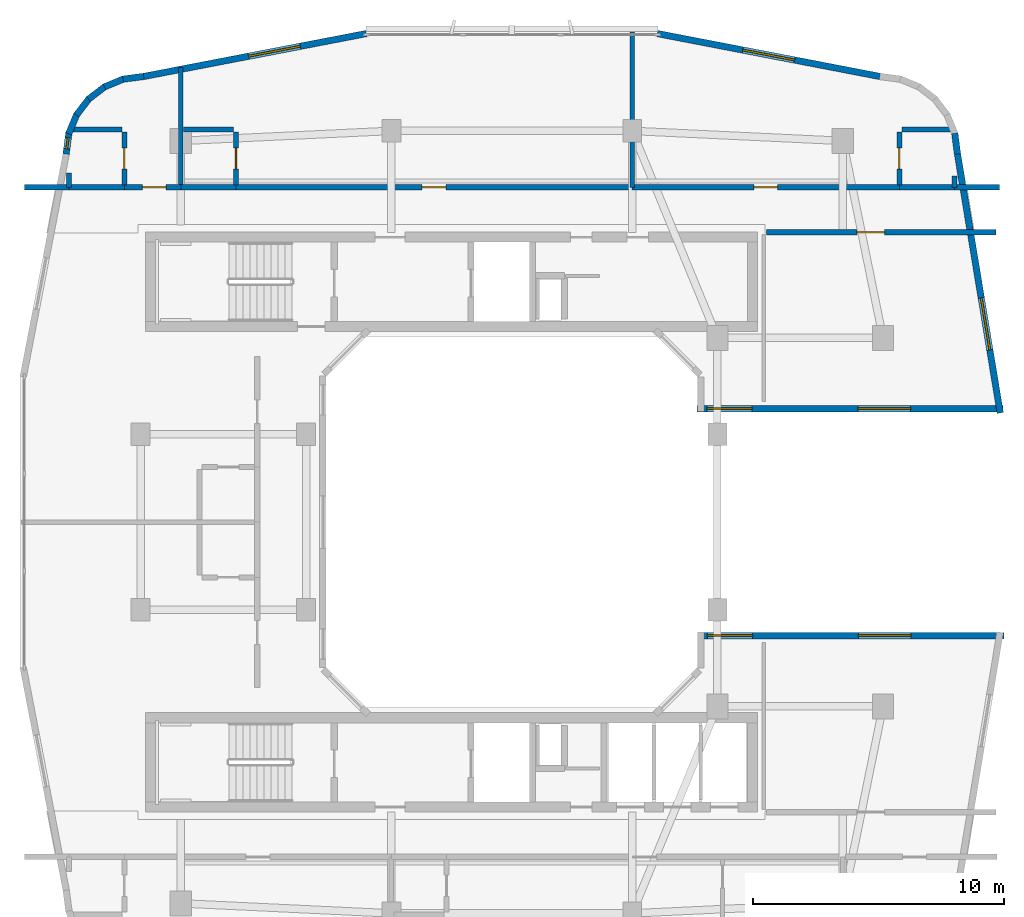
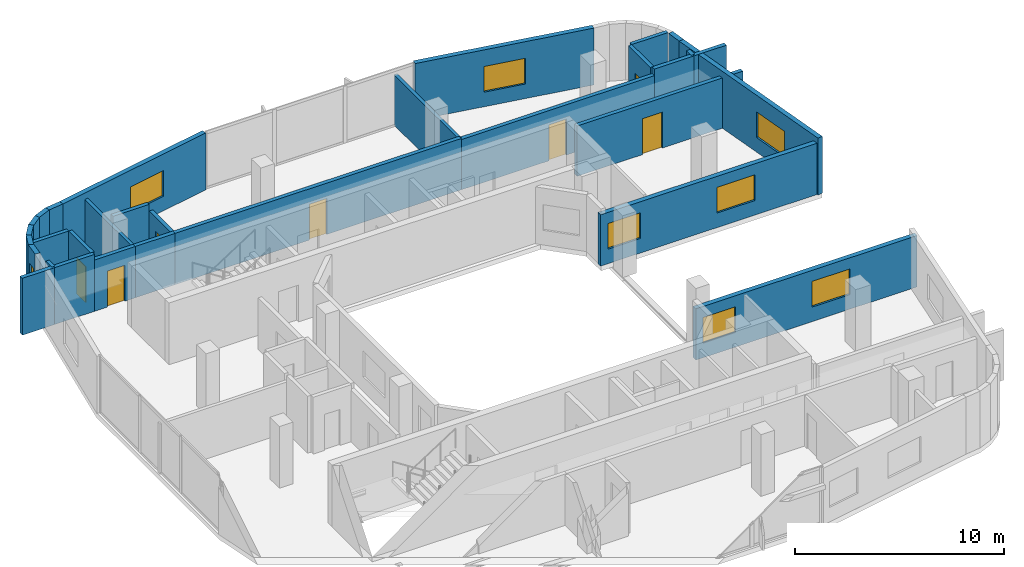
# One storey, part 7 of 12: 31 walls, 8 windows, 7 doors, 15 openings.
"""IFC4 building model written with IfcOpenShell, lengths in metres."""

from ifc_helpers import new_model, si_unit, derived_unit, direction, frame, frame_2d, origin, place, context, subcontext, project, spatial, rectangle, extrude, material, layer, layer_set, type_object, element, fill, save


model = new_model("IFC4")

# Units and contexts
model_context = context("Model", 3, precision=1e-05, world=origin(), true_north=direction((0.0, 1.0)))
body_context = subcontext(model_context, "Body", "Model", "MODEL_VIEW")
ifc_project = project(units=[si_unit("LENGTHUNIT", "METRE"), si_unit("AREAUNIT", "SQUARE_METRE"), si_unit("VOLUMEUNIT", "CUBIC_METRE"), si_unit("PLANEANGLEUNIT", "RADIAN"), si_unit("MASSUNIT", "GRAM", prefix="KILO"), derived_unit("THERMALTRANSMITTANCEUNIT", [(si_unit("POWERUNIT", "WATT"), 1), (si_unit("LENGTHUNIT", "METRE"), -2), (si_unit("THERMODYNAMICTEMPERATUREUNIT", "KELVIN"), -1)])], contexts=[model_context])

# Site, building, storey
site_placement = place(None, origin())
site = spatial("IfcSite", under=ifc_project, at=site_placement, CompositionType="ELEMENT")
building_placement = place(site_placement, origin())
building = spatial("IfcBuilding", under=site, at=building_placement, Name="Kivonza Crest Hotel", CompositionType="ELEMENT")
storey_placement = place(building_placement, frame((0.0, 0.0, 191.89990234375)))
storey = spatial("IfcBuildingStorey", under=building, at=storey_placement, Name="L52", CompositionType="ELEMENT", Elevation=191.89990234375)

# Walls
ifc_material_1 = material(Name="High-density acoustic masonry inter-tenancy wall", Category="masonry")
ifc_layer_1 = layer(ifc_material_1, 0.179931640625)
ifc_layer_set_1 = layer_set([ifc_layer_1], Name="High-density acoustic masonry inter-tenancy wall")
wall_type_1 = type_object("IfcWallType", Name="WL-ACOU-180", PredefinedType="SOLIDWALL", material=ifc_layer_set_1)
wall_1_placement = place(storey_placement, frame((7.800048828125, 38.35009765625, 0.0), z_axis=(0.0, 0.0, 1.0), x_axis=(0.0, 1.0, 0.0)))
element("IfcWall", 1, at=wall_1_placement, inside=storey, type_object=wall_type_1, Name="L52 interior partition WA-L52-T1N-DIV1", PredefinedType="SOLIDWALL", context=body_context, shape_type="SweptSolid", body=[
    extrude(rectangle(XDim=4.77783203125, YDim=0.179931640625, at=frame_2d((2.388916015625, 0.0))), origin(), (0.0, 0.0, 1.0), 2.93505859375),
])
wall_2_placement = place(storey_placement, frame((25.800048828125, 38.35009765625, 0.0), z_axis=(0.0, 0.0, 1.0), x_axis=(0.0, 1.0, 0.0)))
element("IfcWall", 2, at=wall_2_placement, inside=storey, type_object=wall_type_1, Name="L52 interior partition WA-L52-T1N-DIV2", PredefinedType="SOLIDWALL", context=body_context, shape_type="SweptSolid", body=[
    extrude(rectangle(XDim=6.18994140625, YDim=0.179931640625, at=frame_2d((3.094970703125, 0.0))), origin(), (0.0, 0.0, 1.0), 2.93505859375),
])
ifc_material_2 = material(Name="Autoclaved aerated concrete blockwork", Category="masonry")
ifc_layer_2 = layer(ifc_material_2, 0.219970703125)
ifc_layer_set_2 = layer_set([ifc_layer_2], Name="Autoclaved aerated concrete blockwork")
wall_type_2 = type_object("IfcWallType", Name="WL-ACOU-220", PredefinedType="SOLIDWALL", material=ifc_layer_set_2)
wall_3_placement = place(storey_placement, frame((1.56005859375, 38.35009765625, 0.0), z_axis=(0.0, 0.0, 1.0), x_axis=(1.0, 0.0, 0.0)))
element("IfcWall", 3, at=wall_3_placement, inside=storey, type_object=wall_type_2, Name="L52 interior partition WA-L52-N01-XCORR", PredefinedType="SOLIDWALL", context=body_context, shape_type="SweptSolid", body=[
    extrude(rectangle(XDim=1.7900390625, YDim=0.219970703125, at=frame_2d((0.89501953125, 0.0))), origin(), (0.0, 0.0, 1.0), 3.320068359375),
])
wall_4_placement = place(storey_placement, frame((3.35009765625, 38.35009765625, 0.0), z_axis=(0.0, 0.0, 1.0), x_axis=(1.0, 0.0, 0.0)))
element("IfcWall", 4, at=wall_4_placement, inside=storey, type_object=wall_type_2, Name="L52 interior partition WA-L52-N01-BCORR", PredefinedType="SOLIDWALL", context=body_context, shape_type="SweptSolid", body=[
    extrude(rectangle(XDim=2.199951171875, YDim=0.219970703125, at=frame_2d((1.10009765625, 0.0))), origin(), (0.0, 0.0, 1.0), 3.320068359375),
])

# Wall, opening, door
wall_5_placement = place(storey_placement, frame((5.550048828125, 38.35009765625, 0.0), z_axis=(0.0, 0.0, 1.0), x_axis=(1.0, 0.0, 0.0)))
wall_5 = element("IfcWall", 5, at=wall_5_placement, inside=storey, type_object=wall_type_2, Name="L52 interior partition WA-L52-N01-MCORR", PredefinedType="SOLIDWALL", context=body_context, shape_type="SweptSolid", body=[
    extrude(rectangle(XDim=2.25, YDim=0.219970703125, at=frame_2d((1.125, 0.0))), origin(), (0.0, 0.0, 1.0), 2.9951171875),
])
opening_1_placement = place(wall_5_placement, frame((0.719970703125, 0.0, 0.0)))
opening_1 = element("IfcOpeningElement", 6, at=opening_1_placement, cuts=wall_5, Name="Opening DU-60", PredefinedType="OPENING", context=body_context, shape_type="SweptSolid", body=[
    extrude(rectangle(XDim=0.949951171875, YDim=2.10009765625, at=frame_2d((0.47509765625, 1.050048828125))), frame((0.0, 0.1201171875, 0.0), z_axis=(0.0, -1.0, 0.0), x_axis=(1.0, 0.0, 0.0)), (0.0, 0.0, 1.0), 0.239990234375),
])
ifc_material_3 = material(Name="Hardwood timber oak", Category="wood")
door_type_1 = type_object("IfcDoorType", Name="DR-UNIT-950", OperationType="NOTDEFINED", PredefinedType="DOOR", material=ifc_material_3)
door_1_placement = place(opening_1_placement, origin())
door_1 = element("IfcDoor", 7, at=door_1_placement, inside=storey, type_object=door_type_1, Name="L52 N01 guest unit entrance fire door", OperationType="SINGLE_SWING_LEFT", OverallHeight=2.10009765625, OverallWidth=0.949951171875, PredefinedType="DOOR", context=body_context, shape_type="SweptSolid", body=[
    extrude(rectangle(XDim=0.949951171875, YDim=2.10009765625, at=frame_2d((0.47509765625, 1.050048828125))), frame((0.0, 0.02490234375, 0.0), z_axis=(0.0, -1.0, 0.0), x_axis=(1.0, 0.0, 0.0)), (0.0, 0.0, 1.0), 0.050048828125),
])
fill(opening_1, door_1)

# Wall
wall_6_placement = place(storey_placement, frame((7.800048828125, 38.35009765625, 0.0), z_axis=(0.0, 0.0, 1.0), x_axis=(1.0, 0.0, 0.0)))
element("IfcWall", 8, at=wall_6_placement, inside=storey, type_object=wall_type_2, Name="L52 interior partition WA-L52-N02-BCORR", PredefinedType="SOLIDWALL", context=body_context, shape_type="SweptSolid", body=[
    extrude(rectangle(XDim=2.199951171875, YDim=0.219970703125, at=frame_2d((1.10009765625, 0.0))), origin(), (0.0, 0.0, 1.0), 2.9951171875),
])

# Wall, opening, door
wall_7_placement = place(storey_placement, frame((10.0, 38.35009765625, 0.0), z_axis=(0.0, 0.0, 1.0), x_axis=(1.0, 0.0, 0.0)))
wall_7 = element("IfcWall", 9, at=wall_7_placement, inside=storey, type_object=wall_type_2, Name="L52 interior partition WA-L52-N02-MCORR", PredefinedType="SOLIDWALL", context=body_context, shape_type="SweptSolid", body=[
    extrude(rectangle(XDim=15.800048828125, YDim=0.219970703125, at=frame_2d((7.89990234375, 0.0))), origin(), (0.0, 0.0, 1.0), 2.9951171875),
])
opening_2_placement = place(wall_7_placement, frame((7.425048828125, 0.0, 0.0)))
opening_2 = element("IfcOpeningElement", 10, at=opening_2_placement, cuts=wall_7, Name="Opening DU-60", PredefinedType="OPENING", context=body_context, shape_type="SweptSolid", body=[
    extrude(rectangle(XDim=0.949951171875, YDim=2.10009765625, at=frame_2d((0.47509765625, 1.050048828125))), frame((0.0, 0.1201171875, 0.0), z_axis=(0.0, -1.0, 0.0), x_axis=(1.0, 0.0, 0.0)), (0.0, 0.0, 1.0), 0.239990234375),
])
door_2_placement = place(opening_2_placement, origin())
door_2 = element("IfcDoor", 11, at=door_2_placement, inside=storey, type_object=door_type_1, Name="L52 N02 guest unit entrance fire door", OperationType="SINGLE_SWING_RIGHT", OverallHeight=2.10009765625, OverallWidth=0.949951171875, PredefinedType="DOOR", context=body_context, shape_type="SweptSolid", body=[
    extrude(rectangle(XDim=0.949951171875, YDim=2.10009765625, at=frame_2d((0.47509765625, 1.050048828125))), frame((0.0, 0.02490234375, 0.0), z_axis=(0.0, -1.0, 0.0), x_axis=(1.0, 0.0, 0.0)), (0.0, 0.0, 1.0), 0.050048828125),
])
fill(opening_2, door_2)

# Walls
wall_8_placement = place(storey_placement, frame((38.64990234375, 38.35009765625, 0.0), z_axis=(0.0, 0.0, 1.0), x_axis=(1.0, 0.0, 0.0)))
element("IfcWall", 12, at=wall_8_placement, inside=storey, type_object=wall_type_2, Name="L52 interior partition WA-L52-N03-XCORR", PredefinedType="SOLIDWALL", context=body_context, shape_type="SweptSolid", body=[
    extrude(rectangle(XDim=1.7900390625, YDim=0.219970703125, at=frame_2d((0.89501953125, 0.0))), origin(), (0.0, 0.0, 1.0), 3.320068359375),
])
wall_9_placement = place(storey_placement, frame((36.449951171875, 38.35009765625, 0.0), z_axis=(0.0, 0.0, 1.0), x_axis=(1.0, 0.0, 0.0)))
element("IfcWall", 13, at=wall_9_placement, inside=storey, type_object=wall_type_2, Name="L52 interior partition WA-L52-N03-BCORR", PredefinedType="SOLIDWALL", context=body_context, shape_type="SweptSolid", body=[
    extrude(rectangle(XDim=2.199951171875, YDim=0.219970703125, at=frame_2d((1.10009765625, 0.0))), origin(), (0.0, 0.0, 1.0), 3.320068359375),
])

# Wall, opening, door
wall_10_placement = place(storey_placement, frame((25.800048828125, 38.35009765625, 0.0), z_axis=(0.0, 0.0, 1.0), x_axis=(1.0, 0.0, 0.0)))
wall_10 = element("IfcWall", 14, at=wall_10_placement, inside=storey, type_object=wall_type_2, Name="L52 interior partition WA-L52-N03-MCORR", PredefinedType="SOLIDWALL", context=body_context, shape_type="SweptSolid", body=[
    extrude(rectangle(XDim=10.64990234375, YDim=0.219970703125, at=frame_2d((5.324951171875, 0.0))), origin(), (0.0, 0.0, 1.0), 2.93505859375),
])
opening_3_placement = place(wall_10_placement, frame((4.85009765625, 0.0, 0.0)))
opening_3 = element("IfcOpeningElement", 15, at=opening_3_placement, cuts=wall_10, Name="Opening DU-60", PredefinedType="OPENING", context=body_context, shape_type="SweptSolid", body=[
    extrude(rectangle(XDim=0.949951171875, YDim=2.10009765625, at=frame_2d((0.47509765625, 1.050048828125))), frame((0.0, 0.1201171875, 0.0), z_axis=(0.0, -1.0, 0.0), x_axis=(1.0, 0.0, 0.0)), (0.0, 0.0, 1.0), 0.239990234375),
])
door_3_placement = place(opening_3_placement, origin())
door_3 = element("IfcDoor", 16, at=door_3_placement, inside=storey, type_object=door_type_1, Name="L52 N03 guest unit entrance fire door", OperationType="SINGLE_SWING_LEFT", OverallHeight=2.10009765625, OverallWidth=0.949951171875, PredefinedType="DOOR", context=body_context, shape_type="SweptSolid", body=[
    extrude(rectangle(XDim=0.949951171875, YDim=2.10009765625, at=frame_2d((0.47509765625, 1.050048828125))), frame((0.0, 0.02490234375, 0.0), z_axis=(0.0, -1.0, 0.0), x_axis=(1.0, 0.0, 0.0)), (0.0, 0.0, 1.0), 0.050048828125),
])
fill(opening_3, door_3)

wall_11_placement = place(storey_placement, frame((31.14990234375, 36.56005859375, 0.0), z_axis=(0.0, 0.0, 1.0), x_axis=(1.0, 0.0, 0.0)))
wall_11 = element("IfcWall", 17, at=wall_11_placement, inside=storey, type_object=wall_type_2, Name="L52 interior partition WA-L52-EP2-N", PredefinedType="SOLIDWALL", context=body_context, shape_type="SweptSolid", body=[
    extrude(rectangle(XDim=9.150146484375, YDim=0.219970703125, at=frame_2d((4.5751953125, 0.0))), origin(), (0.0, 0.0, 1.0), 2.93505859375),
])
opening_4_placement = place(wall_11_placement, frame((3.612060546875, 0.0, 0.0)))
opening_4 = element("IfcOpeningElement", 18, at=opening_4_placement, cuts=wall_11, Name="Opening DF-60M", PredefinedType="OPENING", context=body_context, shape_type="SweptSolid", body=[
    extrude(rectangle(XDim=1.10009765625, YDim=2.10009765625, at=frame_2d((0.550048828125, 1.050048828125))), frame((0.0, 0.1201171875, 0.0), z_axis=(0.0, -1.0, 0.0), x_axis=(1.0, 0.0, 0.0)), (0.0, 0.0, 1.0), 0.239990234375),
])
door_type_2 = type_object("IfcDoorType", Name="DR-FD60-1100", OperationType="NOTDEFINED", PredefinedType="DOOR", material=ifc_material_3)
door_4_placement = place(opening_4_placement, frame((1.10009765625, 0.0, 0.0), z_axis=(0.0, 0.0, 1.0), x_axis=(-1.0, 0.0, 0.0)))
door_4 = element("IfcDoor", 19, at=door_4_placement, inside=storey, type_object=door_type_2, Name="L52 North Portal Sky Salon door", OperationType="SINGLE_SWING_LEFT", OverallHeight=2.10009765625, OverallWidth=1.10009765625, PredefinedType="DOOR", context=body_context, shape_type="SweptSolid", body=[
    extrude(rectangle(XDim=1.10009765625, YDim=2.10009765625, at=frame_2d((0.550048828125, 1.050048828125))), frame((0.0, 0.02490234375, 0.0), z_axis=(0.0, -1.0, 0.0), x_axis=(1.0, 0.0, 0.0)), (0.0, 0.0, 1.0), 0.050048828125),
])
fill(opening_4, door_4)

# Wall, openings, windows
ifc_material_4 = material(Name="Precast concrete C40/50", Category="concrete")
ifc_layer_3 = layer(ifc_material_4, 0.260009765625)
ifc_layer_set_3 = layer_set([ifc_layer_3], Name="Precast concrete C40/50")
wall_type_3 = type_object("IfcWallType", Name="WL-EXT-260", PredefinedType="STANDARD", material=ifc_layer_set_3)
wall_12_placement = place(storey_placement, frame((40.625, 20.469970703125, 0.0), z_axis=(0.0, 0.0, 1.0), x_axis=(-1.0, 0.0, 0.0)))
wall_12 = element("IfcWall", 20, at=wall_12_placement, inside=storey, type_object=wall_type_3, Name="L52 T1 exterior insulated wall 17", PredefinedType="STANDARD", context=body_context, shape_type="SweptSolid", body=[
    extrude(rectangle(XDim=12.215087890625, YDim=0.260009765625, at=frame_2d((6.107421875, 0.0))), origin(), (0.0, 0.0, 1.0), 2.9951171875),
])
opening_5_placement = place(wall_12_placement, frame((3.70703125, 0.0, 0.85009765625)))
opening_5 = element("IfcOpeningElement", 21, at=opening_5_placement, cuts=wall_12, Name="Opening WN-04", PredefinedType="OPENING", context=body_context, shape_type="SweptSolid", body=[
    extrude(rectangle(XDim=2.10009765625, YDim=1.5, at=frame_2d((1.050048828125, 0.75))), frame((0.0, 0.14013671875, 0.0), z_axis=(0.0, -1.0, 0.0), x_axis=(1.0, 0.0, 0.0)), (0.0, 0.0, 1.0), 0.280029296875),
])
opening_6_placement = place(wall_12_placement, frame((10.02490234375, 0.0, 0.85009765625)))
opening_6 = element("IfcOpeningElement", 22, at=opening_6_placement, cuts=wall_12, Name="Opening WN-03", PredefinedType="OPENING", context=body_context, shape_type="SweptSolid", body=[
    extrude(rectangle(XDim=1.800048828125, YDim=1.5, at=frame_2d((0.89990234375, 0.75))), frame((0.0, 0.14013671875, 0.0), z_axis=(0.0, -1.0, 0.0), x_axis=(1.0, 0.0, 0.0)), (0.0, 0.0, 1.0), 0.280029296875),
])
ifc_material_5 = material(Name="Thermally broken bronze aluminium and low-E double glazing", Category="aluminium")
window_type_1 = type_object("IfcWindowType", Name="WN-180x150", PartitioningType="DOUBLE_PANEL_VERTICAL", PredefinedType="WINDOW", material=ifc_material_5)
window_1_placement = place(opening_6_placement, origin())
window_1 = element("IfcWindow", 23, at=window_1_placement, inside=storey, type_object=window_type_1, Name="L52 T1 facade window 17 bay 2", OverallHeight=1.5, OverallWidth=1.800048828125, PartitioningType="SINGLE_PANEL", PredefinedType="WINDOW", context=body_context, shape_type="SweptSolid", body=[
    extrude(rectangle(XDim=1.800048828125, YDim=1.5, at=frame_2d((0.89990234375, 0.75))), frame((0.0, 0.030029296875, 0.0), z_axis=(0.0, -1.0, 0.0), x_axis=(1.0, 0.0, 0.0)), (0.0, 0.0, 1.0), 0.06005859375),
])
fill(opening_6, window_1)
window_type_2 = type_object("IfcWindowType", Name="WN-210x150", PartitioningType="DOUBLE_PANEL_VERTICAL", PredefinedType="WINDOW", material=ifc_material_5)
window_2_placement = place(opening_5_placement, origin())
window_2 = element("IfcWindow", 24, at=window_2_placement, inside=storey, type_object=window_type_2, Name="L52 T1 facade window 17 bay 1", OverallHeight=1.5, OverallWidth=2.10009765625, PartitioningType="SINGLE_PANEL", PredefinedType="WINDOW", context=body_context, shape_type="SweptSolid", body=[
    extrude(rectangle(XDim=2.10009765625, YDim=1.5, at=frame_2d((1.050048828125, 0.75))), frame((0.0, 0.030029296875, 0.0), z_axis=(0.0, -1.0, 0.0), x_axis=(1.0, 0.0, 0.0)), (0.0, 0.0, 1.0), 0.06005859375),
])
fill(opening_5, window_2)

wall_13_placement = place(storey_placement, frame((28.375, 29.530029296875, 0.0), z_axis=(0.0, 0.0, 1.0), x_axis=(1.0, 0.0, 0.0)))
wall_13 = element("IfcWall", 25, at=wall_13_placement, inside=storey, type_object=wall_type_3, Name="L52 T1 exterior insulated wall 27", PredefinedType="STANDARD", context=body_context, shape_type="SweptSolid", body=[
    extrude(rectangle(XDim=12.215087890625, YDim=0.260009765625, at=frame_2d((6.107421875, 0.0))), origin(), (0.0, 0.0, 1.0), 2.9951171875),
])
opening_7_placement = place(wall_13_placement, frame((0.407958984375, 0.0, 0.85009765625)))
opening_7 = element("IfcOpeningElement", 26, at=opening_7_placement, cuts=wall_13, Name="Opening WN-03", PredefinedType="OPENING", context=body_context, shape_type="SweptSolid", body=[
    extrude(rectangle(XDim=1.800048828125, YDim=1.5, at=frame_2d((0.89990234375, 0.75))), frame((0.0, 0.14013671875, 0.0), z_axis=(0.0, -1.0, 0.0), x_axis=(1.0, 0.0, 0.0)), (0.0, 0.0, 1.0), 0.280029296875),
])
opening_8_placement = place(wall_13_placement, frame((6.425048828125, 0.0, 0.85009765625)))
opening_8 = element("IfcOpeningElement", 27, at=opening_8_placement, cuts=wall_13, Name="Opening WN-04", PredefinedType="OPENING", context=body_context, shape_type="SweptSolid", body=[
    extrude(rectangle(XDim=2.10009765625, YDim=1.5, at=frame_2d((1.050048828125, 0.75))), frame((0.0, 0.14013671875, 0.0), z_axis=(0.0, -1.0, 0.0), x_axis=(1.0, 0.0, 0.0)), (0.0, 0.0, 1.0), 0.280029296875),
])
window_3_placement = place(opening_7_placement, origin())
window_3 = element("IfcWindow", 28, at=window_3_placement, inside=storey, type_object=window_type_1, Name="L52 T1 facade window 27 bay 1", OverallHeight=1.5, OverallWidth=1.800048828125, PartitioningType="SINGLE_PANEL", PredefinedType="WINDOW", context=body_context, shape_type="SweptSolid", body=[
    extrude(rectangle(XDim=1.800048828125, YDim=1.5, at=frame_2d((0.89990234375, 0.75))), frame((0.0, 0.030029296875, 0.0), z_axis=(0.0, -1.0, 0.0), x_axis=(1.0, 0.0, 0.0)), (0.0, 0.0, 1.0), 0.06005859375),
])
fill(opening_7, window_3)
window_4_placement = place(opening_8_placement, origin())
window_4 = element("IfcWindow", 29, at=window_4_placement, inside=storey, type_object=window_type_2, Name="L52 T1 facade window 27 bay 2", OverallHeight=1.5, OverallWidth=2.10009765625, PartitioningType="SINGLE_PANEL", PredefinedType="WINDOW", context=body_context, shape_type="SweptSolid", body=[
    extrude(rectangle(XDim=2.10009765625, YDim=1.5, at=frame_2d((1.050048828125, 0.75))), frame((0.0, 0.030029296875, 0.0), z_axis=(0.0, -1.0, 0.0), x_axis=(1.0, 0.0, 0.0)), (0.0, 0.0, 1.0), 0.06005859375),
])
fill(opening_8, window_4)

# Wall, opening, window
wall_14_placement = place(storey_placement, frame((40.47607421875, 29.35400390625, 0.0), z_axis=(0.0, 0.0, 1.0), x_axis=(-0.162811037825, 0.986657268742, 0.0)))
wall_14 = element("IfcWall", 30, at=wall_14_placement, inside=storey, type_object=wall_type_3, Name="L52 T1 exterior insulated wall 28", PredefinedType="STANDARD", context=body_context, shape_type="SweptSolid", body=[
    extrude(rectangle(XDim=10.47265625, YDim=0.260009765625, at=frame_2d((5.236328125, 0.0))), origin(), (0.0, 0.0, 1.0), 3.320068359375),
])
opening_9_placement = place(wall_14_placement, frame((2.544921875, 0.0, 0.85009765625)))
opening_9 = element("IfcOpeningElement", 31, at=opening_9_placement, cuts=wall_14, Name="Opening WN-04", PredefinedType="OPENING", context=body_context, shape_type="SweptSolid", body=[
    extrude(rectangle(XDim=2.10009765625, YDim=1.5, at=frame_2d((1.050048828125, 0.75))), frame((0.0, 0.14013671875, 0.0), z_axis=(0.0, -1.0, 0.0), x_axis=(1.0, 0.0, 0.0)), (0.0, 0.0, 1.0), 0.280029296875),
])
window_5_placement = place(opening_9_placement, origin())
window_5 = element("IfcWindow", 32, at=window_5_placement, inside=storey, type_object=window_type_2, Name="L52 T1 facade window 28", OverallHeight=1.5, OverallWidth=2.10009765625, PartitioningType="SINGLE_PANEL", PredefinedType="WINDOW", context=body_context, shape_type="SweptSolid", body=[
    extrude(rectangle(XDim=2.10009765625, YDim=1.5, at=frame_2d((1.050048828125, 0.75))), frame((0.0, 0.030029296875, 0.0), z_axis=(0.0, -1.0, 0.0), x_axis=(1.0, 0.0, 0.0)), (0.0, 0.0, 1.0), 0.06005859375),
])
fill(opening_9, window_5)

# Wall
wall_15_placement = place(storey_placement, frame((38.77197265625, 39.675048828125, 0.0), z_axis=(0.0, 0.0, 1.0), x_axis=(-0.130704676564, 0.99142134712, 0.0)))
element("IfcWall", 33, at=wall_15_placement, inside=storey, type_object=wall_type_3, Name="L52 T1 exterior insulated wall 29", PredefinedType="STANDARD", context=body_context, shape_type="SweptSolid", body=[
    extrude(rectangle(XDim=0.8330078125, YDim=0.260009765625, at=frame_2d((0.41650390625, 0.0))), origin(), (0.0, 0.0, 1.0), 3.320068359375),
])

# Wall, opening, window
wall_16_placement = place(storey_placement, frame((35.68310546875, 42.77001953125, 0.0), z_axis=(0.0, 0.0, 1.0), x_axis=(-0.98192801022, 0.189254809039, 0.0)))
wall_16 = element("IfcWall", 34, at=wall_16_placement, inside=storey, type_object=wall_type_3, Name="L52 T1 exterior insulated wall 35", PredefinedType="STANDARD", context=body_context, shape_type="SweptSolid", body=[
    extrude(rectangle(XDim=9.045654296875, YDim=0.260009765625, at=frame_2d((4.52294921875, 0.0))), origin(), (0.0, 0.0, 1.0), 3.320068359375),
])
opening_10_placement = place(wall_16_placement, frame((3.472900390625, 0.0, 0.85009765625)))
opening_10 = element("IfcOpeningElement", 35, at=opening_10_placement, cuts=wall_16, Name="Opening WN-04", PredefinedType="OPENING", context=body_context, shape_type="SweptSolid", body=[
    extrude(rectangle(XDim=2.10009765625, YDim=1.5, at=frame_2d((1.050048828125, 0.75))), frame((0.0, 0.14013671875, 0.0), z_axis=(0.0, -1.0, 0.0), x_axis=(1.0, 0.0, 0.0)), (0.0, 0.0, 1.0), 0.280029296875),
])
window_6_placement = place(opening_10_placement, origin())
window_6 = element("IfcWindow", 36, at=window_6_placement, inside=storey, type_object=window_type_2, Name="L52 T1 facade window 35", OverallHeight=1.5, OverallWidth=2.10009765625, PartitioningType="SINGLE_PANEL", PredefinedType="WINDOW", context=body_context, shape_type="SweptSolid", body=[
    extrude(rectangle(XDim=2.10009765625, YDim=1.5, at=frame_2d((1.050048828125, 0.75))), frame((0.0, 0.030029296875, 0.0), z_axis=(0.0, -1.0, 0.0), x_axis=(1.0, 0.0, 0.0)), (0.0, 0.0, 1.0), 0.06005859375),
])
fill(opening_10, window_6)

wall_17_placement = place(storey_placement, frame((15.198974609375, 44.48193359375, 0.0), z_axis=(0.0, 0.0, 1.0), x_axis=(-0.98192801022, -0.189254809039, 0.0)))
wall_17 = element("IfcWall", 37, at=wall_17_placement, inside=storey, type_object=wall_type_3, Name="L52 T1 exterior insulated wall 37", PredefinedType="STANDARD", context=body_context, shape_type="SweptSolid", body=[
    extrude(rectangle(XDim=9.045654296875, YDim=0.260009765625, at=frame_2d((4.52294921875, 0.0))), origin(), (0.0, 0.0, 1.0), 3.320068359375),
])
opening_11_placement = place(wall_17_placement, frame((2.680908203125, 0.0, 0.85009765625)))
opening_11 = element("IfcOpeningElement", 38, at=opening_11_placement, cuts=wall_17, Name="Opening WN-04", PredefinedType="OPENING", context=body_context, shape_type="SweptSolid", body=[
    extrude(rectangle(XDim=2.10009765625, YDim=1.5, at=frame_2d((1.050048828125, 0.75))), frame((0.0, 0.14013671875, 0.0), z_axis=(0.0, -1.0, 0.0), x_axis=(1.0, 0.0, 0.0)), (0.0, 0.0, 1.0), 0.280029296875),
])
window_7_placement = place(opening_11_placement, origin())
window_7 = element("IfcWindow", 39, at=window_7_placement, inside=storey, type_object=window_type_2, Name="L52 T1 facade window 37", OverallHeight=1.5, OverallWidth=2.10009765625, PartitioningType="SINGLE_PANEL", PredefinedType="WINDOW", context=body_context, shape_type="SweptSolid", body=[
    extrude(rectangle(XDim=2.10009765625, YDim=1.5, at=frame_2d((1.050048828125, 0.75))), frame((0.0, 0.030029296875, 0.0), z_axis=(0.0, -1.0, 0.0), x_axis=(1.0, 0.0, 0.0)), (0.0, 0.0, 1.0), 0.06005859375),
])
fill(opening_11, window_7)

# Walls
wall_18_placement = place(storey_placement, frame((6.324951171875, 42.77197265625, 0.0), z_axis=(0.0, 0.0, 1.0), x_axis=(-0.99142134712, -0.130704676564, 0.0)))
element("IfcWall", 40, at=wall_18_placement, inside=storey, type_object=wall_type_3, Name="L52 T1 exterior insulated wall 38", PredefinedType="STANDARD", context=body_context, shape_type="SweptSolid", body=[
    extrude(rectangle(XDim=0.8330078125, YDim=0.260009765625, at=frame_2d((0.41650390625, 0.0))), origin(), (0.0, 0.0, 1.0), 3.320068359375),
])
wall_19_placement = place(storey_placement, frame((5.544921875, 42.680908203125, 0.0), z_axis=(0.0, 0.0, 1.0), x_axis=(-0.923712395518, -0.383086687796, 0.0)))
element("IfcWall", 41, at=wall_19_placement, inside=storey, type_object=wall_type_3, Name="L52 T1 exterior insulated wall 39", PredefinedType="STANDARD", context=body_context, shape_type="SweptSolid", body=[
    extrude(rectangle(XDim=0.850830078125, YDim=0.260009765625, at=frame_2d((0.42529296875, 0.0))), origin(), (0.0, 0.0, 1.0), 3.320068359375),
])
for number, where, z_axis, x_axis, name in (
    (42, (4.799072265625, 42.383056640625, 0.0), (0.0, 0.0, 1.0), (-0.793860452124, -0.608099977432, 0.0), "L52 T1 exterior insulated wall 40"),
    (43, (4.155029296875, 41.904052734375, 0.0), (0.0, 0.0, 1.0), (-0.608099977432, -0.793860452124, 0.0), "L52 T1 exterior insulated wall 41"),
):
    element("IfcWall", number, at=place(storey_placement, frame(where, z_axis=z_axis, x_axis=x_axis)), inside=storey, type_object=wall_type_3, Name=name, PredefinedType="STANDARD", context=body_context, shape_type="SweptSolid", body=[
        extrude(rectangle(XDim=0.850341796875, YDim=0.260009765625, at=frame_2d((0.42529296875, 0.0))), origin(), (0.0, 0.0, 1.0), 3.320068359375),
    ])
wall_20_placement = place(storey_placement, frame((3.658935546875, 41.27294921875, 0.0), z_axis=(0.0, 0.0, 1.0), x_axis=(-0.383086687796, -0.923712395518, 0.0)))
element("IfcWall", 44, at=wall_20_placement, inside=storey, type_object=wall_type_3, Name="L52 T1 exterior insulated wall 42", PredefinedType="STANDARD", context=body_context, shape_type="SweptSolid", body=[
    extrude(rectangle(XDim=0.850830078125, YDim=0.260009765625, at=frame_2d((0.42529296875, 0.0))), origin(), (0.0, 0.0, 1.0), 3.320068359375),
])

# Wall, opening, window
wall_21_placement = place(storey_placement, frame((3.341064453125, 40.535888671875, 0.0), z_axis=(0.0, 0.0, 1.0), x_axis=(-0.130192647656, -0.991488716273, 0.0)))
wall_21 = element("IfcWall", 45, at=wall_21_placement, inside=storey, type_object=wall_type_3, Name="L52 T1 exterior insulated wall 43", PredefinedType="STANDARD", context=body_context, shape_type="SweptSolid", body=[
    extrude(rectangle(XDim=0.8681640625, YDim=0.260009765625, at=frame_2d((0.43408203125, 0.0))), origin(), (0.0, 0.0, 1.0), 3.320068359375),
])
opening_12_placement = place(wall_21_placement, frame((0.208984375, 0.0, 0.85009765625)))
opening_12 = element("IfcOpeningElement", 46, at=opening_12_placement, cuts=wall_21, Name="Opening WN-11", PredefinedType="OPENING", context=body_context, shape_type="SweptSolid", body=[
    extrude(rectangle(XDim=0.449951171875, YDim=1.5, at=frame_2d((0.22509765625, 0.75))), frame((0.0, 0.14013671875, 0.0), z_axis=(0.0, -1.0, 0.0), x_axis=(1.0, 0.0, 0.0)), (0.0, 0.0, 1.0), 0.280029296875),
])
window_type_3 = type_object("IfcWindowType", Name="WN-045x150", PartitioningType="SINGLE_PANEL", PredefinedType="WINDOW", material=ifc_material_5)
window_8_placement = place(opening_12_placement, origin())
window_8 = element("IfcWindow", 47, at=window_8_placement, inside=storey, type_object=window_type_3, Name="L52 corner vision window 1", OverallHeight=1.5, OverallWidth=0.449951171875, PartitioningType="SINGLE_PANEL", PredefinedType="WINDOW", context=body_context, shape_type="SweptSolid", body=[
    extrude(rectangle(XDim=0.449951171875, YDim=1.5, at=frame_2d((0.22509765625, 0.75))), frame((0.0, 0.030029296875, 0.0), z_axis=(0.0, -1.0, 0.0), x_axis=(1.0, 0.0, 0.0)), (0.0, 0.0, 1.0), 0.06005859375),
])
fill(opening_12, window_8)

# Wall, opening, door
ifc_material_6 = material(Name="Moisture-resistant plumbing chase partition wall", Category="gypsum")
ifc_layer_4 = layer(ifc_material_6, 0.199951171875)
ifc_layer_set_4 = layer_set([ifc_layer_4], Name="Moisture-resistant plumbing chase partition wall")
wall_type_4 = type_object("IfcWallType", Name="WL-PLUMB-200", PredefinedType="PLUMBINGWALL", material=ifc_layer_set_4)
wall_22_placement = place(storey_placement, frame((5.550048828125, 38.449951171875, 0.0), z_axis=(0.0, 0.0, 1.0), x_axis=(0.0, 1.0, 0.0)))
wall_22 = element("IfcWall", 48, at=wall_22_placement, inside=storey, type_object=wall_type_4, Name="L52 interior partition WW-L52-N01-BV", PredefinedType="PLUMBINGWALL", context=body_context, shape_type="SweptSolid", body=[
    extrude(rectangle(XDim=2.10009765625, YDim=0.199951171875, at=frame_2d((1.050048828125, 0.0))), origin(), (0.0, 0.0, 1.0), 3.320068359375),
])
opening_13_placement = place(wall_22_placement, frame((0.625, 0.0, 0.0)))
opening_13 = element("IfcOpeningElement", 49, at=opening_13_placement, cuts=wall_22, Name="Opening DI-85", PredefinedType="OPENING", context=body_context, shape_type="SweptSolid", body=[
    extrude(rectangle(XDim=0.85009765625, YDim=2.10009765625, at=frame_2d((0.425048828125, 1.050048828125))), frame((0.0, 0.10986328125, 0.0), z_axis=(0.0, -1.0, 0.0), x_axis=(1.0, 0.0, 0.0)), (0.0, 0.0, 1.0), 0.219970703125),
])
door_type_3 = type_object("IfcDoorType", Name="DR-INT-850", OperationType="NOTDEFINED", PredefinedType="DOOR", material=ifc_material_3)
door_5_placement = place(opening_13_placement, frame((0.85009765625, 0.0, 0.0), z_axis=(0.0, 0.0, 1.0), x_axis=(-1.0, 0.0, 0.0)))
door_5 = element("IfcDoor", 50, at=door_5_placement, inside=storey, type_object=door_type_3, Name="L52 N01 en-suite bathroom door", OperationType="SINGLE_SWING_RIGHT", OverallHeight=2.10009765625, OverallWidth=0.85009765625, PredefinedType="DOOR", context=body_context, shape_type="SweptSolid", body=[
    extrude(rectangle(XDim=0.85009765625, YDim=2.10009765625, at=frame_2d((0.425048828125, 1.050048828125))), frame((0.0, 0.02490234375, 0.0), z_axis=(0.0, -1.0, 0.0), x_axis=(1.0, 0.0, 0.0)), (0.0, 0.0, 1.0), 0.050048828125),
])
fill(opening_13, door_5)

# Walls
wall_23_placement = place(storey_placement, frame((3.449951171875, 40.64990234375, 0.0), z_axis=(0.0, 0.0, 1.0), x_axis=(1.0, 0.0, 0.0)))
element("IfcWall", 51, at=wall_23_placement, inside=storey, type_object=wall_type_4, Name="L52 interior partition WW-L52-N01-BH", PredefinedType="PLUMBINGWALL", context=body_context, shape_type="SweptSolid", body=[
    extrude(rectangle(XDim=2.0, YDim=0.199951171875, at=frame_2d((1.0, 0.0))), origin(), (0.0, 0.0, 1.0), 3.320068359375),
])
wall_24_placement = place(storey_placement, frame((3.35009765625, 38.35009765625, 0.0), z_axis=(0.0, 0.0, 1.0), x_axis=(0.0, 1.0, 0.0)))
element("IfcWall", 52, at=wall_24_placement, inside=storey, type_object=wall_type_4, Name="L52 interior partition WW-L52-N01-BVW", PredefinedType="PLUMBINGWALL", context=body_context, shape_type="SweptSolid", body=[
    extrude(rectangle(XDim=0.576904296875, YDim=0.199951171875, at=frame_2d((0.28857421875, 0.0))), origin(), (0.0, 0.0, 1.0), 3.320068359375),
])

# Wall, opening, door
wall_25_placement = place(storey_placement, frame((10.0, 38.449951171875, 0.0), z_axis=(0.0, 0.0, 1.0), x_axis=(0.0, 1.0, 0.0)))
wall_25 = element("IfcWall", 53, at=wall_25_placement, inside=storey, type_object=wall_type_4, Name="L52 interior partition WW-L52-N02-BV", PredefinedType="PLUMBINGWALL", context=body_context, shape_type="SweptSolid", body=[
    extrude(rectangle(XDim=2.10009765625, YDim=0.199951171875, at=frame_2d((1.050048828125, 0.0))), origin(), (0.0, 0.0, 1.0), 2.93505859375),
])
opening_14_placement = place(wall_25_placement, frame((0.625, 0.0, 0.0)))
opening_14 = element("IfcOpeningElement", 54, at=opening_14_placement, cuts=wall_25, Name="Opening DI-85", PredefinedType="OPENING", context=body_context, shape_type="SweptSolid", body=[
    extrude(rectangle(XDim=0.85009765625, YDim=2.10009765625, at=frame_2d((0.425048828125, 1.050048828125))), frame((0.0, 0.10986328125, 0.0), z_axis=(0.0, -1.0, 0.0), x_axis=(1.0, 0.0, 0.0)), (0.0, 0.0, 1.0), 0.219970703125),
])
door_6_placement = place(opening_14_placement, frame((0.85009765625, 0.0, 0.0), z_axis=(0.0, 0.0, 1.0), x_axis=(-1.0, 0.0, 0.0)))
door_6 = element("IfcDoor", 55, at=door_6_placement, inside=storey, type_object=door_type_3, Name="L52 N02 en-suite bathroom door", OperationType="SINGLE_SWING_LEFT", OverallHeight=2.10009765625, OverallWidth=0.85009765625, PredefinedType="DOOR", context=body_context, shape_type="SweptSolid", body=[
    extrude(rectangle(XDim=0.85009765625, YDim=2.10009765625, at=frame_2d((0.425048828125, 1.050048828125))), frame((0.0, 0.02490234375, 0.0), z_axis=(0.0, -1.0, 0.0), x_axis=(1.0, 0.0, 0.0)), (0.0, 0.0, 1.0), 0.050048828125),
])
fill(opening_14, door_6)

# Wall
wall_26_placement = place(storey_placement, frame((7.89990234375, 40.64990234375, 0.0), z_axis=(0.0, 0.0, 1.0), x_axis=(1.0, 0.0, 0.0)))
element("IfcWall", 56, at=wall_26_placement, inside=storey, type_object=wall_type_4, Name="L52 interior partition WW-L52-N02-BH", PredefinedType="PLUMBINGWALL", context=body_context, shape_type="SweptSolid", body=[
    extrude(rectangle(XDim=2.0, YDim=0.199951171875, at=frame_2d((1.0, 0.0))), origin(), (0.0, 0.0, 1.0), 3.320068359375),
])

# Wall, opening, door
wall_27_placement = place(storey_placement, frame((36.449951171875, 38.449951171875, 0.0), z_axis=(0.0, 0.0, 1.0), x_axis=(0.0, 1.0, 0.0)))
wall_27 = element("IfcWall", 57, at=wall_27_placement, inside=storey, type_object=wall_type_4, Name="L52 interior partition WW-L52-N03-BV", PredefinedType="PLUMBINGWALL", context=body_context, shape_type="SweptSolid", body=[
    extrude(rectangle(XDim=2.10009765625, YDim=0.199951171875, at=frame_2d((1.050048828125, 0.0))), origin(), (0.0, 0.0, 1.0), 3.320068359375),
])
opening_15_placement = place(wall_27_placement, frame((0.625, 0.0, 0.0)))
opening_15 = element("IfcOpeningElement", 58, at=opening_15_placement, cuts=wall_27, Name="Opening DI-85", PredefinedType="OPENING", context=body_context, shape_type="SweptSolid", body=[
    extrude(rectangle(XDim=0.85009765625, YDim=2.10009765625, at=frame_2d((0.425048828125, 1.050048828125))), frame((0.0, 0.10986328125, 0.0), z_axis=(0.0, -1.0, 0.0), x_axis=(1.0, 0.0, 0.0)), (0.0, 0.0, 1.0), 0.219970703125),
])
door_7_placement = place(opening_15_placement, origin())
door_7 = element("IfcDoor", 59, at=door_7_placement, inside=storey, type_object=door_type_3, Name="L52 N03 en-suite bathroom door", OperationType="SINGLE_SWING_RIGHT", OverallHeight=2.10009765625, OverallWidth=0.85009765625, PredefinedType="DOOR", context=body_context, shape_type="SweptSolid", body=[
    extrude(rectangle(XDim=0.85009765625, YDim=2.10009765625, at=frame_2d((0.425048828125, 1.050048828125))), frame((0.0, 0.02490234375, 0.0), z_axis=(0.0, -1.0, 0.0), x_axis=(1.0, 0.0, 0.0)), (0.0, 0.0, 1.0), 0.050048828125),
])
fill(opening_15, door_7)

# Walls
wall_28_placement = place(storey_placement, frame((36.550048828125, 40.64990234375, 0.0), z_axis=(0.0, 0.0, 1.0), x_axis=(1.0, 0.0, 0.0)))
element("IfcWall", 60, at=wall_28_placement, inside=storey, type_object=wall_type_4, Name="L52 interior partition WW-L52-N03-BH", PredefinedType="PLUMBINGWALL", context=body_context, shape_type="SweptSolid", body=[
    extrude(rectangle(XDim=2.0, YDim=0.199951171875, at=frame_2d((1.0, 0.0))), origin(), (0.0, 0.0, 1.0), 3.320068359375),
])
wall_29_placement = place(storey_placement, frame((38.64990234375, 38.35009765625, 0.0), z_axis=(0.0, 0.0, 1.0), x_axis=(0.0, 1.0, 0.0)))
element("IfcWall", 61, at=wall_29_placement, inside=storey, type_object=wall_type_4, Name="L52 interior partition WW-L52-N03-BVE", PredefinedType="PLUMBINGWALL", context=body_context, shape_type="SweptSolid", body=[
    extrude(rectangle(XDim=0.458984375, YDim=0.199951171875, at=frame_2d((0.2294921875, 0.0))), origin(), (0.0, 0.0, 1.0), 3.320068359375),
])

save(model, "model.ifc")
